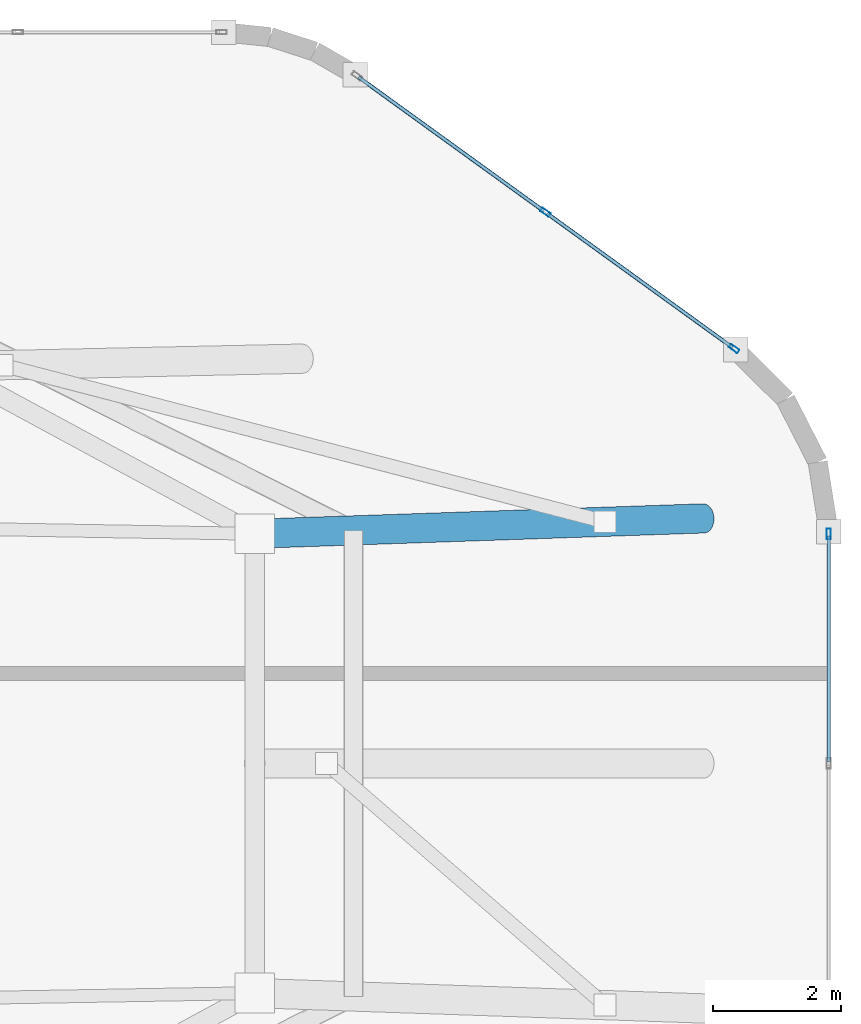
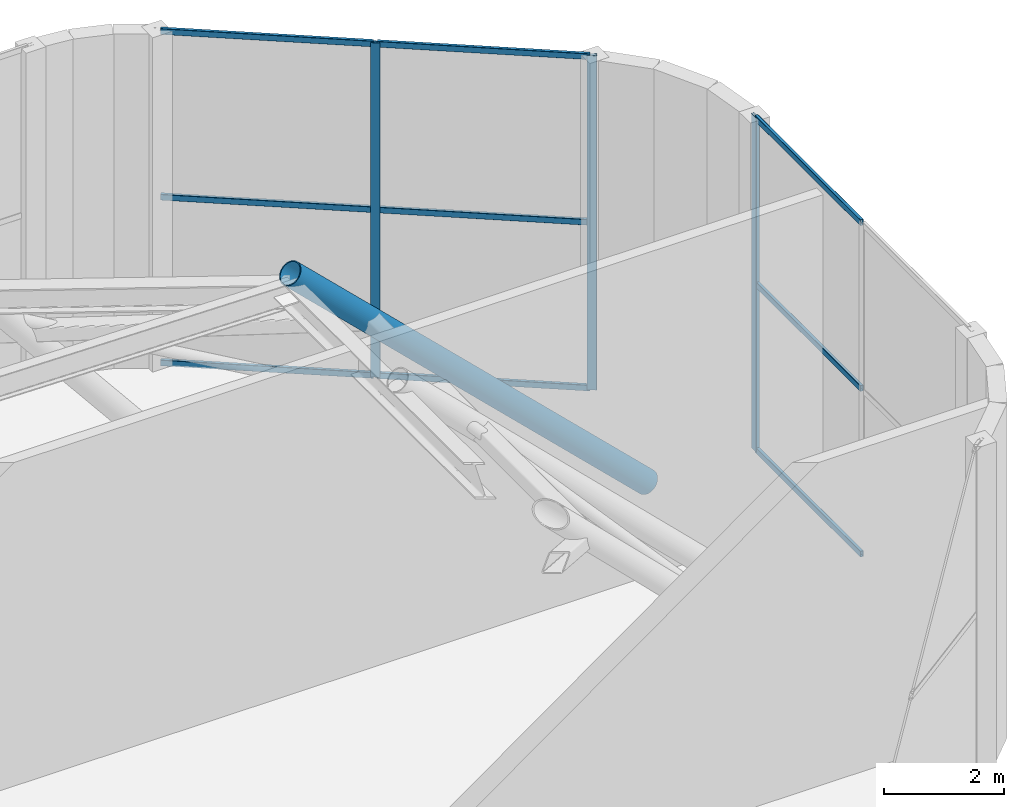
# One storey, part 19 of 23: 13 members, 2 elements without a shape of their own.
"""IFC4 building model written with IfcOpenShell, lengths in metres."""

from ifc_helpers import new_model, si_unit, direction, frame, origin, origin_2d, place, context, subcontext, project, spatial, hollow_rectangle, hollow_circle, extrude, material, layer, layer_set, material_profile, profile_set, type_object, element, aggregate, save


model = new_model("IFC4")

# Units and contexts
model_context = context("Model", 3, precision=1e-05, world=origin(), true_north=direction((0.0, 1.0)))
body_context = subcontext(model_context, "Body", "Model", "MODEL_VIEW")
ifc_project = project(units=[si_unit("LENGTHUNIT", "METRE"), si_unit("AREAUNIT", "SQUARE_METRE"), si_unit("VOLUMEUNIT", "CUBIC_METRE"), si_unit("PLANEANGLEUNIT", "RADIAN"), si_unit("MASSUNIT", "GRAM", prefix="KILO")], contexts=[model_context])

# Site, building, storey
site_placement = place(None, origin())
site = spatial("IfcSite", under=ifc_project, at=site_placement, CompositionType="ELEMENT")
building_placement = place(site_placement, origin())
building = spatial("IfcBuilding", under=site, at=building_placement, Name="An Khanh Terracotta Commons", CompositionType="ELEMENT")
storey_placement = place(building_placement, frame((0.0, 0.0, 322.0)))
storey = spatial("IfcBuildingStorey", under=building, at=storey_placement, Name="L81 Crown Heat-Recovery Plant", CompositionType="ELEMENT", Elevation=322.0)

# Member
ifc_material_1 = material(Name="Steel S460ML", Category="steel")
ifc_material_profile_1 = material_profile(ifc_material_1, hollow_circle(Radius=0.228515625, WallThickness=0.02001953125, at=origin_2d()), Name="CHS457x20")
ifc_profile_set_1 = profile_set([ifc_material_profile_1], Name="Steel S460ML")
member_type_1 = type_object("IfcMemberType", Name="CROWN FRAME RIB CHS457", PredefinedType="STRUT", material=ifc_profile_set_1)
member_1_placement = place(storey_placement, frame((56.85009765625, 27.820068359375, -0.1201171875), z_axis=(-0.715014211444, -0.024513775455, 0.698680007046), x_axis=(0.034264187798, -0.999412810321, 0.0)))
element("IfcMember", 1, at=member_1_placement, inside=storey, type_object=member_type_1, Name="L81 Crown Heat-Recovery Plant CROWN FRAME Corner Raking Rib 4", PredefinedType="STRUT", context=body_context, shape_type="SweptSolid", body=[
    extrude(hollow_circle(Radius=0.228515625, WallThickness=0.02001953125, at=origin_2d()), origin(), (0.0, 0.0, 1.0), 9.7900390625),
])

# Curtain wall, member
ifc_material_2 = material(Name="Anodised Aluminium 6063-T6", Category="aluminium")
ifc_layer = layer(ifc_material_2, 0.18994140625, Name="Anodised Aluminium 6063-T6")
ifc_layer_set = layer_set([ifc_layer], Name="Anodised Aluminium 6063-T6")
curtain_wall_type = type_object("IfcCurtainWallType", Name="CW-SYS-06", PredefinedType="USERDEFINED", material=ifc_layer_set)
curtain_wall_1_placement = place(storey_placement, origin())
curtain_wall_1 = element("IfcCurtainWall", 2, at=curtain_wall_1_placement, inside=storey, type_object=curtain_wall_type, Name="L81 Crown Heat-Recovery Plant CW-06 Unitised Curtain Wall CW-L81-12", ObjectType="UNITISED CURTAIN WALL", PredefinedType="USERDEFINED")
ifc_material_profile_2 = material_profile(ifc_material_2, hollow_rectangle(XDim=0.06494140625, YDim=0.1650390625, WallThickness=0.00390625, InnerFilletRadius=0.00390625, OuterFilletRadius=0.008056640625, at=origin_2d()), Name="RHS165x65x4")
ifc_profile_set_2 = profile_set([ifc_material_profile_2], Name="Anodised Aluminium 6063-T6")
member_type_2 = type_object("IfcMemberType", Name="CWM-RHS165x65x4", PredefinedType="MULLION", material=ifc_profile_set_2)
member_2_placement = place(storey_placement, frame((58.800048828125, 27.57861328125, 0.0), z_axis=(0.0, 0.0, 1.0), x_axis=(-1.0, 0.0, 0.0)))
member_2 = element("IfcMember", 3, at=member_2_placement, type_object=member_type_2, Name="CW-06 mullion 3", PredefinedType="MULLION", context=body_context, shape_type="SweptSolid", body=[
    extrude(hollow_rectangle(XDim=0.06494140625, YDim=0.1650390625, WallThickness=0.00390625, InnerFilletRadius=0.00390625, OuterFilletRadius=0.008056640625, at=origin_2d()), origin(), (0.0, 0.0, 1.0), 6.800048828125),
])

# Curtain wall, members
curtain_wall_2_placement = place(storey_placement, origin())
curtain_wall_2 = element("IfcCurtainWall", 4, at=curtain_wall_2_placement, inside=storey, type_object=curtain_wall_type, Name="L81 Crown Heat-Recovery Plant CW-06 Unitised Curtain Wall CW-L81-16", ObjectType="UNITISED CURTAIN WALL", PredefinedType="USERDEFINED")
member_3_placement = place(storey_placement, frame((57.32373046875, 30.467041015625, 0.0), z_axis=(0.0, 0.0, 1.0), x_axis=(-0.585829698889, -0.810434182337, 0.0)))
member_3 = element("IfcMember", 5, at=member_3_placement, type_object=member_type_2, Name="CW-06 mullion 1", PredefinedType="MULLION", context=body_context, shape_type="SweptSolid", body=[
    extrude(hollow_rectangle(XDim=0.06494140625, YDim=0.1650390625, WallThickness=0.00390625, InnerFilletRadius=0.00390625, OuterFilletRadius=0.008056640625, at=origin_2d()), origin(), (0.0, 0.0, 1.0), 6.800048828125),
])
member_4_placement = place(storey_placement, frame((54.384033203125, 32.592041015625, 0.0), z_axis=(0.0, 0.0, 1.0), x_axis=(-0.585829698889, -0.810434182337, 0.0)))
member_4 = element("IfcMember", 6, at=member_4_placement, type_object=member_type_2, Name="CW-06 mullion 2", PredefinedType="MULLION", context=body_context, shape_type="SweptSolid", body=[
    extrude(hollow_rectangle(XDim=0.06494140625, YDim=0.1650390625, WallThickness=0.00390625, InnerFilletRadius=0.00390625, OuterFilletRadius=0.008056640625, at=origin_2d()), origin(), (0.0, 0.0, 1.0), 6.800048828125),
])

# Member
ifc_material_profile_3 = material_profile(ifc_material_2, hollow_rectangle(XDim=0.06005859375, YDim=0.1201171875, WallThickness=0.003662109375, InnerFilletRadius=0.003662109375, OuterFilletRadius=0.007080078125, at=origin_2d()), Name="RHS120x60x3.6")
ifc_profile_set_3 = profile_set([ifc_material_profile_3], Name="Anodised Aluminium 6063-T6")
member_type_3 = type_object("IfcMemberType", Name="CWT-RHS120x60x3.6", PredefinedType="USERDEFINED", material=ifc_profile_set_3)
member_5_placement = place(storey_placement, frame((58.800048828125, 24.032470703125, 0.030029296875), z_axis=(0.0, 1.0, 0.0), x_axis=(-1.0, 0.0, 0.0)))
member_5 = element("IfcMember", 7, at=member_5_placement, type_object=member_type_3, Name="CW-06 transom 2.1", ObjectType="TRANSOM", PredefinedType="USERDEFINED", context=body_context, shape_type="SweptSolid", body=[
    extrude(hollow_rectangle(XDim=0.06005859375, YDim=0.1201171875, WallThickness=0.003662109375, InnerFilletRadius=0.003662109375, OuterFilletRadius=0.007080078125, at=origin_2d()), origin(), (0.0, 0.0, 1.0), 3.513427734375),
])

member_6_placement = place(storey_placement, frame((58.800048828125, 24.032470703125, 3.39990234375), z_axis=(0.0, 1.0, 0.0), x_axis=(-1.0, 0.0, 0.0)))
member_6 = element("IfcMember", 8, at=member_6_placement, type_object=member_type_3, Name="CW-06 transom 2.2", ObjectType="TRANSOM", PredefinedType="USERDEFINED", context=body_context, shape_type="SweptSolid", body=[
    extrude(hollow_rectangle(XDim=0.06005859375, YDim=0.1201171875, WallThickness=0.003662109375, InnerFilletRadius=0.003662109375, OuterFilletRadius=0.007080078125, at=origin_2d()), origin(), (0.0, 0.0, 1.0), 3.513427734375),
])

member_7_placement = place(storey_placement, frame((58.800048828125, 24.032470703125, 6.77001953125), z_axis=(0.0, 1.0, 0.0), x_axis=(-1.0, 0.0, 0.0)))
member_7 = element("IfcMember", 9, at=member_7_placement, type_object=member_type_3, Name="CW-06 transom 2.3", ObjectType="TRANSOM", PredefinedType="USERDEFINED", context=body_context, shape_type="SweptSolid", body=[
    extrude(hollow_rectangle(XDim=0.06005859375, YDim=0.1201171875, WallThickness=0.003662109375, InnerFilletRadius=0.003662109375, OuterFilletRadius=0.007080078125, at=origin_2d()), origin(), (0.0, 0.0, 1.0), 3.513427734375),
])

aggregate(curtain_wall_1, [member_2, member_5, member_6, member_7])

member_8_placement = place(storey_placement, frame((57.29736328125, 30.486083984375, 0.030029296875), z_axis=(-0.810427950974, 0.585838319232, 0.0), x_axis=(-0.585838319232, -0.810427950974, 0.0)))
member_8 = element("IfcMember", 10, at=member_8_placement, type_object=member_type_3, Name="CW-06 transom 1.1", ObjectType="TRANSOM", PredefinedType="USERDEFINED", context=body_context, shape_type="SweptSolid", body=[
    extrude(hollow_rectangle(XDim=0.06005859375, YDim=0.1201171875, WallThickness=0.003662109375, InnerFilletRadius=0.003662109375, OuterFilletRadius=0.007080078125, at=origin_2d()), origin(), (0.0, 0.0, 1.0), 3.562255859375),
])

member_9_placement = place(storey_placement, frame((57.29736328125, 30.486083984375, 3.39990234375), z_axis=(-0.810427950974, 0.585838319232, 0.0), x_axis=(-0.585838319232, -0.810427950974, 0.0)))
member_9 = element("IfcMember", 11, at=member_9_placement, type_object=member_type_3, Name="CW-06 transom 1.2", ObjectType="TRANSOM", PredefinedType="USERDEFINED", context=body_context, shape_type="SweptSolid", body=[
    extrude(hollow_rectangle(XDim=0.06005859375, YDim=0.1201171875, WallThickness=0.003662109375, InnerFilletRadius=0.003662109375, OuterFilletRadius=0.007080078125, at=origin_2d()), origin(), (0.0, 0.0, 1.0), 3.562255859375),
])

member_10_placement = place(storey_placement, frame((57.29736328125, 30.486083984375, 6.77001953125), z_axis=(-0.810427950974, 0.585838319232, 0.0), x_axis=(-0.585838319232, -0.810427950974, 0.0)))
member_10 = element("IfcMember", 12, at=member_10_placement, type_object=member_type_3, Name="CW-06 transom 1.3", ObjectType="TRANSOM", PredefinedType="USERDEFINED", context=body_context, shape_type="SweptSolid", body=[
    extrude(hollow_rectangle(XDim=0.06005859375, YDim=0.1201171875, WallThickness=0.003662109375, InnerFilletRadius=0.003662109375, OuterFilletRadius=0.007080078125, at=origin_2d()), origin(), (0.0, 0.0, 1.0), 3.562255859375),
])

member_11_placement = place(storey_placement, frame((54.357666015625, 32.611083984375, 0.030029296875), z_axis=(-0.810427950974, 0.585838319232, 0.0), x_axis=(-0.585838319232, -0.810427950974, 0.0)))
member_11 = element("IfcMember", 13, at=member_11_placement, type_object=member_type_3, Name="CW-06 transom 2.1", ObjectType="TRANSOM", PredefinedType="USERDEFINED", context=body_context, shape_type="SweptSolid", body=[
    extrude(hollow_rectangle(XDim=0.06005859375, YDim=0.1201171875, WallThickness=0.003662109375, InnerFilletRadius=0.003662109375, OuterFilletRadius=0.007080078125, at=origin_2d()), origin(), (0.0, 0.0, 1.0), 3.562255859375),
])

member_12_placement = place(storey_placement, frame((54.357666015625, 32.611083984375, 3.39990234375), z_axis=(-0.810427950974, 0.585838319232, 0.0), x_axis=(-0.585838319232, -0.810427950974, 0.0)))
member_12 = element("IfcMember", 14, at=member_12_placement, type_object=member_type_3, Name="CW-06 transom 2.2", ObjectType="TRANSOM", PredefinedType="USERDEFINED", context=body_context, shape_type="SweptSolid", body=[
    extrude(hollow_rectangle(XDim=0.06005859375, YDim=0.1201171875, WallThickness=0.003662109375, InnerFilletRadius=0.003662109375, OuterFilletRadius=0.007080078125, at=origin_2d()), origin(), (0.0, 0.0, 1.0), 3.562255859375),
])

member_13_placement = place(storey_placement, frame((54.357666015625, 32.611083984375, 6.77001953125), z_axis=(-0.810427950974, 0.585838319232, 0.0), x_axis=(-0.585838319232, -0.810427950974, 0.0)))
member_13 = element("IfcMember", 15, at=member_13_placement, type_object=member_type_3, Name="CW-06 transom 2.3", ObjectType="TRANSOM", PredefinedType="USERDEFINED", context=body_context, shape_type="SweptSolid", body=[
    extrude(hollow_rectangle(XDim=0.06005859375, YDim=0.1201171875, WallThickness=0.003662109375, InnerFilletRadius=0.003662109375, OuterFilletRadius=0.007080078125, at=origin_2d()), origin(), (0.0, 0.0, 1.0), 3.562255859375),
])

aggregate(curtain_wall_2, [member_3, member_4, member_8, member_9, member_10, member_11, member_12, member_13])

save(model, "model.ifc")
